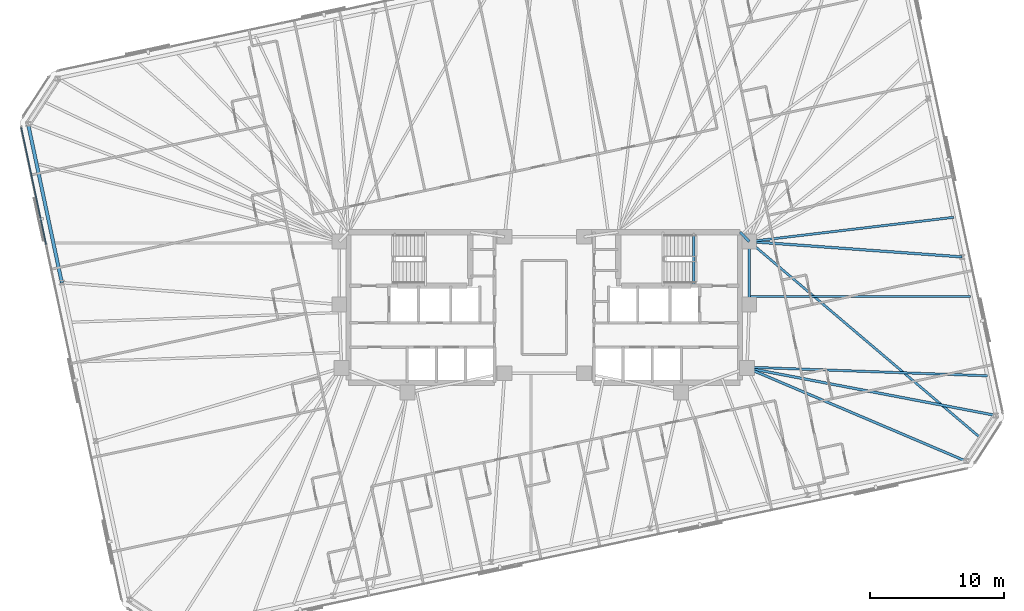
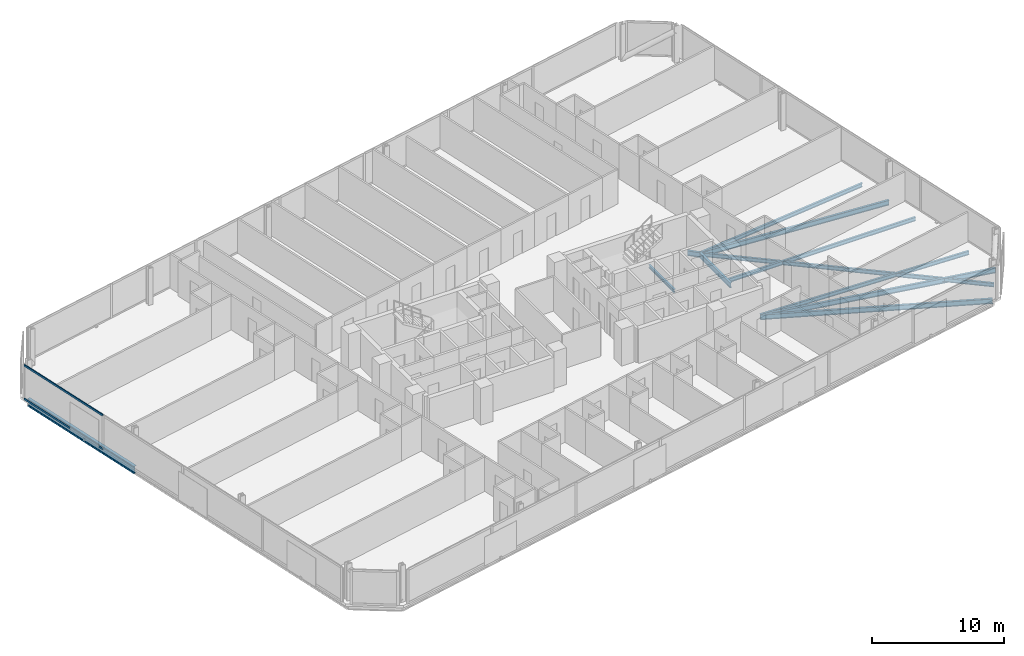
# One storey, part 8 of 21: 11 beams, 2 members, 1 element without a shape of its own.
"""IFC4 building model written with IfcOpenShell, lengths in metres."""

from ifc_helpers import new_model, si_unit, direction, frame, origin, origin_2d, place, context, subcontext, project, spatial, rectangle, i_section, extrude, material, material_profile, profile_set, type_object, element, aggregate, save


model = new_model("IFC4")

# Units and contexts
model_context = context("Model", 3, precision=1e-05, world=origin(), true_north=direction((0.0, 1.0)))
body_context = subcontext(model_context, "Body", "Model", "MODEL_VIEW")
ifc_project = project(units=[si_unit("LENGTHUNIT", "METRE"), si_unit("AREAUNIT", "SQUARE_METRE"), si_unit("VOLUMEUNIT", "CUBIC_METRE"), si_unit("PLANEANGLEUNIT", "RADIAN"), si_unit("MASSUNIT", "GRAM", prefix="KILO")], contexts=[model_context])

# Site, building, storey
site_placement = place(None, origin())
site = spatial("IfcSite", under=ifc_project, at=site_placement, CompositionType="ELEMENT")
building_placement = place(site_placement, origin())
building = spatial("IfcBuilding", under=site, at=building_placement, Name="Menara Jurai Vektor", CompositionType="ELEMENT")
storey_placement = place(building_placement, frame((0.0, 0.0, 188.800048828125)))
storey = spatial("IfcBuildingStorey", under=building, at=storey_placement, Name="L49", CompositionType="ELEMENT", Elevation=188.800048828125)

# Curtain wall, members
ifc_material_1 = material(Name="Anodised Pale Aluminium & Low-E Double Glazing", Category="aluminium")
curtain_wall_type = type_object("IfcCurtainWallType", Name="CW-BLK3", PredefinedType="NOTDEFINED", material=ifc_material_1)
curtain_wall_placement = place(storey_placement, origin())
curtain_wall = element("IfcCurtainWall", 1, at=curtain_wall_placement, inside=storey, type_object=curtain_wall_type, Name="Unitised Curtain Wall L49 F07", PredefinedType="NOTDEFINED")
ifc_material_2 = material(Name="Anodised Pale Aluminium Transom", Category="aluminium")
ifc_material_profile_1 = material_profile(ifc_material_2, rectangle(XDim=0.0849609375, YDim=0.175048828125, at=origin_2d()), Name="ALU TRN 85x175")
ifc_profile_set_1 = profile_set([ifc_material_profile_1], Name="Anodised Pale Aluminium Transom")
member_type = type_object("IfcMemberType", Name="CW-BLK3-TRN", PredefinedType="USERDEFINED", material=ifc_profile_set_1)
member_1_placement = place(storey_placement, frame((-38.896728515625, 13.378173828125, 0.04248046875), z_axis=(0.207899517354, -0.978150188204, 0.0), x_axis=(0.978150188204, 0.207899517354, 0.0)))
member_1 = element("IfcMember", 2, at=member_1_placement, type_object=member_type, Name="CW-03 transom 1.1", ObjectType="TRANSOM", PredefinedType="USERDEFINED", context=body_context, shape_type="SweptSolid", body=[
    extrude(rectangle(XDim=0.0849609375, YDim=0.175048828125, at=origin_2d()), origin(), (0.0, 0.0, 1.0), 8.882568359375),
])
member_2_placement = place(storey_placement, frame((-38.896728515625, 13.378173828125, 3.132568359375), z_axis=(0.207899517354, -0.978150188204, 0.0), x_axis=(0.978150188204, 0.207899517354, 0.0)))
member_2 = element("IfcMember", 3, at=member_2_placement, type_object=member_type, Name="CW-03 transom 1.2", ObjectType="TRANSOM", PredefinedType="USERDEFINED", context=body_context, shape_type="SweptSolid", body=[
    extrude(rectangle(XDim=0.0849609375, YDim=0.175048828125, at=origin_2d()), origin(), (0.0, 0.0, 1.0), 8.882568359375),
])
aggregate(curtain_wall, [member_1, member_2])

# Beams
ifc_material_3 = material(Name="Steel S355", Category="steel")
ifc_material_profile_2 = material_profile(ifc_material_3, i_section(OverallWidth=0.19091796875, OverallDepth=0.4599609375, WebThickness=0.010009765625, FlangeThickness=0.01611328125, FilletRadius=0.010009765625, at=origin_2d()), Name="UKB 457x191x82")
ifc_profile_set_2 = profile_set([ifc_material_profile_2], Name="Steel S355")
beam_type_1 = type_object("IfcBeamType", Name="STR-BM-457", PredefinedType="BEAM", material=ifc_profile_set_2)
beam_1_placement = place(storey_placement, frame((14.56005859375, 5.60009765625, -0.455078125), z_axis=(0.701871936926, -0.712303154672, 0.0), x_axis=(0.712303154672, 0.701871936926, 0.0)))
element("IfcBeam", 4, at=beam_1_placement, inside=storey, type_object=beam_type_1, Name="Core Ring Header Girder L49-CHE-N2", PredefinedType="BEAM", context=body_context, shape_type="SweptSolid", body=[
    extrude(i_section(OverallWidth=0.19091796875, OverallDepth=0.4599609375, WebThickness=0.010009765625, FlangeThickness=0.01611328125, FilletRadius=0.010009765625, at=origin_2d()), origin(), (0.0, 0.0, 1.0), 0.98291015625),
])
beam_2_placement = place(storey_placement, frame((15.25, 0.219970703125, -0.455078125), z_axis=(0.0, 1.0, 0.0), x_axis=(-1.0, 0.0, 0.0)))
element("IfcBeam", 5, at=beam_2_placement, inside=storey, type_object=beam_type_1, Name="Core Ring Header Girder L49-CHE-E1", PredefinedType="BEAM", context=body_context, shape_type="SweptSolid", body=[
    extrude(i_section(OverallWidth=0.19091796875, OverallDepth=0.4599609375, WebThickness=0.010009765625, FlangeThickness=0.01611328125, FilletRadius=0.010009765625, at=origin_2d()), origin(), (0.0, 0.0, 1.0), 4.679931640625),
])
beam_3_placement = place(storey_placement, frame((31.376220703125, -11.438720703125, -0.455078125), z_axis=(-0.920069342045, 0.391755543458, 0.0), x_axis=(-0.391755543458, -0.920069342045, 0.0)))
element("IfcBeam", 6, at=beam_3_placement, inside=storey, type_object=beam_type_1, Name="Radial Floor Girder L49-S6", PredefinedType="BEAM", context=body_context, shape_type="SweptSolid", body=[
    extrude(i_section(OverallWidth=0.19091796875, OverallDepth=0.4599609375, WebThickness=0.010009765625, FlangeThickness=0.01611328125, FilletRadius=0.010009765625, at=origin_2d()), origin(), (0.0, 0.0, 1.0), 17.7119140625),
])
beam_4_placement = place(storey_placement, frame((33.588623046875, -8.031982421875, -0.455078125), z_axis=(-0.982274660407, 0.187447303322, 0.0), x_axis=(-0.187447303322, -0.982274660407, 0.0)))
element("IfcBeam", 7, at=beam_4_placement, inside=storey, type_object=beam_type_1, Name="Radial Floor Girder L49-E1", PredefinedType="BEAM", context=body_context, shape_type="SweptSolid", body=[
    extrude(i_section(OverallWidth=0.19091796875, OverallDepth=0.4599609375, WebThickness=0.010009765625, FlangeThickness=0.01611328125, FilletRadius=0.010009765625, at=origin_2d()), origin(), (0.0, 0.0, 1.0), 18.842529296875),
])
beam_5_placement = place(storey_placement, frame((31.082763671875, 3.75634765625, -0.455078125), z_axis=(-0.997401783921, 0.072039443584, 0.0), x_axis=(-0.072039443584, -0.997401783921, 0.0)))
element("IfcBeam", 8, at=beam_5_placement, inside=storey, type_object=beam_type_1, Name="Radial Floor Girder L49-E2", PredefinedType="BEAM", context=body_context, shape_type="SweptSolid", body=[
    extrude(i_section(OverallWidth=0.19091796875, OverallDepth=0.4599609375, WebThickness=0.010009765625, FlangeThickness=0.01611328125, FilletRadius=0.010009765625, at=origin_2d()), origin(), (0.0, 0.0, 1.0), 15.8740234375),
])
ifc_material_profile_3 = material_profile(ifc_material_3, i_section(OverallWidth=0.172119140625, OverallDepth=0.35498046875, WebThickness=0.007080078125, FlangeThickness=0.011962890625, FilletRadius=0.010009765625, at=origin_2d()), Name="UKB 356x171x51")
ifc_profile_set_3 = profile_set([ifc_material_profile_3], Name="Steel S355")
beam_type_2 = type_object("IfcBeamType", Name="STR-JS-356", PredefinedType="JOIST", material=ifc_profile_set_3)
beam_6_placement = place(storey_placement, frame((32.482421875, -9.7353515625, -0.402587890625), z_axis=(-0.762207822165, 0.6473323998, 0.0), x_axis=(-0.6473323998, -0.762207822165, 0.0)))
element("IfcBeam", 9, at=beam_6_placement, inside=storey, type_object=beam_type_2, Name="Radial Secondary Floor Joist L49-JS10", PredefinedType="JOIST", context=body_context, shape_type="SweptSolid", body=[
    extrude(i_section(OverallWidth=0.172119140625, OverallDepth=0.35498046875, WebThickness=0.007080078125, FlangeThickness=0.011962890625, FilletRadius=0.010009765625, at=origin_2d()), origin(), (0.0, 0.0, 1.0), 22.608642578125),
])
beam_7_placement = place(storey_placement, frame((32.962158203125, -5.0849609375, -0.402587890625), z_axis=(-0.999351908775, 0.035996700238, 0.0), x_axis=(-0.035996700238, -0.999351908775, 0.0)))
element("IfcBeam", 10, at=beam_7_placement, inside=storey, type_object=beam_type_2, Name="Radial Secondary Floor Joist L49-JS11", PredefinedType="JOIST", context=body_context, shape_type="SweptSolid", body=[
    extrude(i_section(OverallWidth=0.172119140625, OverallDepth=0.35498046875, WebThickness=0.007080078125, FlangeThickness=0.011962890625, FilletRadius=0.010009765625, at=origin_2d()), origin(), (0.0, 0.0, 1.0), 17.8916015625),
])
beam_8_placement = place(storey_placement, frame((31.709228515625, 0.809326171875, -0.402587890625), z_axis=(-1.0, 0.0, 0.0), x_axis=(0.0, -1.0, 0.0)))
element("IfcBeam", 11, at=beam_8_placement, inside=storey, type_object=beam_type_2, Name="Radial Secondary Floor Joist L49-JS12", PredefinedType="JOIST", context=body_context, shape_type="SweptSolid", body=[
    extrude(i_section(OverallWidth=0.172119140625, OverallDepth=0.35498046875, WebThickness=0.007080078125, FlangeThickness=0.011962890625, FilletRadius=0.010009765625, at=origin_2d()), origin(), (0.0, 0.0, 1.0), 16.459228515625),
])
beam_9_placement = place(storey_placement, frame((30.456298828125, 6.70361328125, -0.402587890625), z_axis=(-0.993038492178, -0.11779029269, 0.0), x_axis=(0.11779029269, -0.993038492178, 0.0)))
element("IfcBeam", 12, at=beam_9_placement, inside=storey, type_object=beam_type_2, Name="Radial Secondary Floor Joist L49-JS13", PredefinedType="JOIST", context=body_context, shape_type="SweptSolid", body=[
    extrude(i_section(OverallWidth=0.172119140625, OverallDepth=0.35498046875, WebThickness=0.007080078125, FlangeThickness=0.011962890625, FilletRadius=0.010009765625, at=origin_2d()), origin(), (0.0, 0.0, 1.0), 15.31298828125),
])
ifc_material_profile_4 = material_profile(ifc_material_3, i_section(OverallWidth=0.1650390625, OverallDepth=0.302978515625, WebThickness=0.006103515625, FlangeThickness=0.010009765625, FilletRadius=0.009033203125, at=origin_2d()), Name="UKB 305x165x40")
ifc_profile_set_4 = profile_set([ifc_material_profile_4], Name="Steel S355")
beam_type_3 = type_object("IfcBeamType", Name="STR-LN-305", PredefinedType="LINTEL", material=ifc_profile_set_4)
beam_10_placement = place(storey_placement, frame((11.1201171875, 1.60009765625, -0.37646484375), z_axis=(0.0, 1.0, 0.0), x_axis=(-1.0, 0.0, 0.0)))
element("IfcBeam", 13, at=beam_10_placement, inside=storey, type_object=beam_type_3, Name="Stair Well Floor Trimmer ST2 L49", PredefinedType="LINTEL", context=body_context, shape_type="SweptSolid", body=[
    extrude(i_section(OverallWidth=0.1650390625, OverallDepth=0.302978515625, WebThickness=0.006103515625, FlangeThickness=0.010009765625, FilletRadius=0.009033203125, at=origin_2d()), origin(), (0.0, 0.0, 1.0), 3.81982421875),
])
ifc_material_4 = material(Name="Steel S460", Category="steel")
ifc_material_profile_5 = material_profile(ifc_material_4, i_section(OverallWidth=0.256103515625, OverallDepth=0.693115234375, WebThickness=0.013916015625, FlangeThickness=0.02392578125, FilletRadius=0.014892578125, at=origin_2d()), Name="UKB 686x254x170")
ifc_profile_set_5 = profile_set([ifc_material_profile_5], Name="Steel S460")
beam_type_4 = type_object("IfcBeamType", Name="STR-SP-686", PredefinedType="SPANDREL", material=ifc_profile_set_5)
beam_11_placement = place(storey_placement, frame((-38.388671875, 13.632080078125, -0.571533203125), z_axis=(0.207921262698, -0.978145566119, 0.0), x_axis=(0.978145566119, 0.207921262698, 0.0)))
element("IfcBeam", 14, at=beam_11_placement, inside=storey, type_object=beam_type_4, Name="Exoskeleton Spandrel Beam L49-17", PredefinedType="SPANDREL", context=body_context, shape_type="SweptSolid", body=[
    extrude(i_section(OverallWidth=0.256103515625, OverallDepth=0.693115234375, WebThickness=0.013916015625, FlangeThickness=0.02392578125, FilletRadius=0.014892578125, at=origin_2d()), origin(), (0.0, 0.0, 1.0), 12.052001953125),
])

save(model, "model.ifc")
